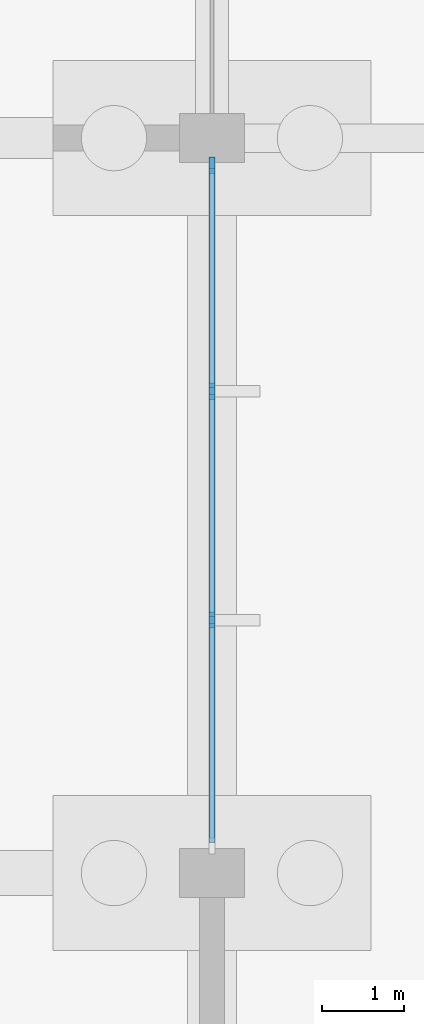
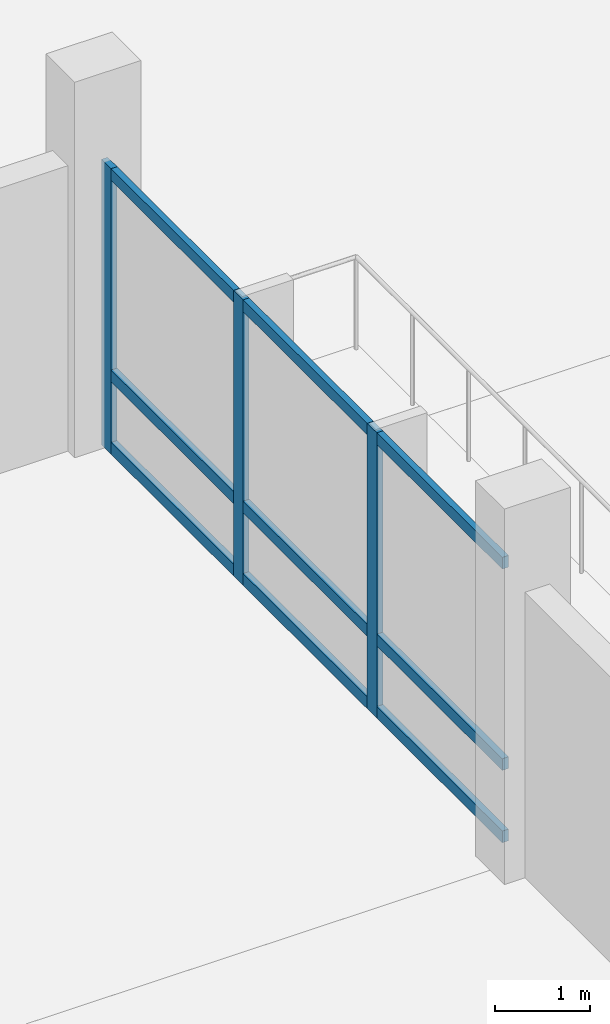
# One storey, part 34 of 72: 12 members, 1 element without a shape of its own.
"""IFC4 building model written with IfcOpenShell, lengths in metres."""

from ifc_helpers import new_model, si_unit, direction, frame, origin, origin_2d, place, context, subcontext, project, spatial, rectangle, extrude, material, material_profile, profile_set, type_object, element, aggregate, save


model = new_model("IFC4")

# Units and contexts
model_context = context("Model", 3, precision=1e-05, world=origin(), true_north=direction((0.0, 1.0)))
body_context = subcontext(model_context, "Body", "Model", "MODEL_VIEW")
ifc_project = project(units=[si_unit("LENGTHUNIT", "METRE"), si_unit("AREAUNIT", "SQUARE_METRE"), si_unit("VOLUMEUNIT", "CUBIC_METRE"), si_unit("PLANEANGLEUNIT", "RADIAN"), si_unit("MASSUNIT", "GRAM", prefix="KILO"), si_unit("THERMODYNAMICTEMPERATUREUNIT", "KELVIN"), si_unit("POWERUNIT", "WATT")], contexts=[model_context])

# Site, building, storey
site_placement = place(None, origin())
site = spatial("IfcSite", under=ifc_project, at=site_placement, CompositionType="ELEMENT")
building_placement = place(site_placement, origin())
building = spatial("IfcBuilding", under=site, at=building_placement, Name="Kronsvod Quay Wholesale Market", CompositionType="ELEMENT")
storey_placement = place(building_placement, origin())
storey = spatial("IfcBuildingStorey", under=building, at=storey_placement, Name="L00", CompositionType="ELEMENT", Elevation=0.0)

# Curtain wall, members
ifc_material_1 = material(Name="Thermally broken aluminium and triple low-E glazing", Category="aluminium")
curtain_wall_type = type_object("IfcCurtainWallType", Name="CW_Wing90x33", PredefinedType="NOTDEFINED", material=ifc_material_1)
curtain_wall_placement = place(storey_placement, origin())
curtain_wall = element("IfcCurtainWall", 1, at=curtain_wall_placement, inside=storey, type_object=curtain_wall_type, Name="CWGY-L00-1920-990", PredefinedType="NOTDEFINED")
ifc_material_2 = material(Name="Anodised aluminium", Category="aluminium")
ifc_material_profile_1 = material_profile(ifc_material_2, rectangle(XDim=0.074951171875, YDim=0.199951171875, at=origin_2d()), Name="ALUM75x200")
ifc_profile_set_1 = profile_set([ifc_material_profile_1], Name="Anodised aluminium")
member_type_1 = type_object("IfcMemberType", Name="Mullion_ALU75x200", PredefinedType="MULLION", material=ifc_profile_set_1)
member_1_placement = place(storey_placement, frame((192.0, 102.098388671875, 0.0), z_axis=(0.0, 0.0, 1.0), x_axis=(1.0, 0.0, 0.0)))
member_1 = element("IfcMember", 2, at=member_1_placement, type_object=member_type_1, Name="CWGY-L00-1920-990-M2", PredefinedType="MULLION", context=body_context, shape_type="SweptSolid", body=[
    extrude(rectangle(XDim=0.074951171875, YDim=0.199951171875, at=origin_2d()), origin(), (0.0, 0.0, 1.0), 3.64990234375),
])
member_2_placement = place(storey_placement, frame((192.0, 104.901611328125, 0.0), z_axis=(0.0, 0.0, 1.0), x_axis=(1.0, 0.0, 0.0)))
member_2 = element("IfcMember", 3, at=member_2_placement, type_object=member_type_1, Name="CWGY-L00-1920-990-M3", PredefinedType="MULLION", context=body_context, shape_type="SweptSolid", body=[
    extrude(rectangle(XDim=0.074951171875, YDim=0.199951171875, at=origin_2d()), origin(), (0.0, 0.0, 1.0), 3.64990234375),
])
member_3_placement = place(storey_placement, frame((192.0, 107.66748046875, 0.0), z_axis=(0.0, 0.0, 1.0), x_axis=(1.0, 0.0, 0.0)))
member_3 = element("IfcMember", 4, at=member_3_placement, type_object=member_type_1, Name="CWGY-L00-1920-990-M4", PredefinedType="MULLION", context=body_context, shape_type="SweptSolid", body=[
    extrude(rectangle(XDim=0.074951171875, YDim=0.199951171875, at=origin_2d()), origin(), (0.0, 0.0, 1.0), 3.64990234375),
])
ifc_material_3 = material(Name="Anodised aluminium", Category="aluminium")
ifc_material_profile_2 = material_profile(ifc_material_3, rectangle(XDim=0.074951171875, YDim=0.14990234375, at=origin_2d()), Name="ALUT75x150")
ifc_profile_set_2 = profile_set([ifc_material_profile_2], Name="Anodised aluminium")
member_type_2 = type_object("IfcMemberType", Name="Transom_ALU75x150", PredefinedType="USERDEFINED", material=ifc_profile_set_2)
member_4_placement = place(storey_placement, frame((192.0, 99.3701171875, 0.074951171875), z_axis=(0.0, 1.0, 0.0), x_axis=(-1.0, 0.0, 0.0)))
member_4 = element("IfcMember", 5, at=member_4_placement, type_object=member_type_2, Name="CWGY-L00-1920-990-T1B1", ObjectType="TRANSOM", PredefinedType="USERDEFINED", context=body_context, shape_type="SweptSolid", body=[
    extrude(rectangle(XDim=0.074951171875, YDim=0.14990234375, at=origin_2d()), origin(), (0.0, 0.0, 1.0), 2.690673828125),
])
member_5_placement = place(storey_placement, frame((192.0, 102.1357421875, 0.074951171875), z_axis=(0.0, 1.0, 0.0), x_axis=(-1.0, 0.0, 0.0)))
member_5 = element("IfcMember", 6, at=member_5_placement, type_object=member_type_2, Name="CWGY-L00-1920-990-T1B2", ObjectType="TRANSOM", PredefinedType="USERDEFINED", context=body_context, shape_type="SweptSolid", body=[
    extrude(rectangle(XDim=0.074951171875, YDim=0.14990234375, at=origin_2d()), origin(), (0.0, 0.0, 1.0), 2.728515625),
])
member_6_placement = place(storey_placement, frame((192.0, 104.939208984375, 0.074951171875), z_axis=(0.0, 1.0, 0.0), x_axis=(-1.0, 0.0, 0.0)))
member_6 = element("IfcMember", 7, at=member_6_placement, type_object=member_type_2, Name="CWGY-L00-1920-990-T1B3", ObjectType="TRANSOM", PredefinedType="USERDEFINED", context=body_context, shape_type="SweptSolid", body=[
    extrude(rectangle(XDim=0.074951171875, YDim=0.14990234375, at=origin_2d()), origin(), (0.0, 0.0, 1.0), 2.690673828125),
])
member_7_placement = place(storey_placement, frame((192.0, 99.3701171875, 1.0), z_axis=(0.0, 1.0, 0.0), x_axis=(-1.0, 0.0, 0.0)))
member_7 = element("IfcMember", 8, at=member_7_placement, type_object=member_type_2, Name="CWGY-L00-1920-990-T2B1", ObjectType="TRANSOM", PredefinedType="USERDEFINED", context=body_context, shape_type="SweptSolid", body=[
    extrude(rectangle(XDim=0.074951171875, YDim=0.14990234375, at=origin_2d()), origin(), (0.0, 0.0, 1.0), 2.690673828125),
])
member_8_placement = place(storey_placement, frame((192.0, 102.1357421875, 1.0), z_axis=(0.0, 1.0, 0.0), x_axis=(-1.0, 0.0, 0.0)))
member_8 = element("IfcMember", 9, at=member_8_placement, type_object=member_type_2, Name="CWGY-L00-1920-990-T2B2", ObjectType="TRANSOM", PredefinedType="USERDEFINED", context=body_context, shape_type="SweptSolid", body=[
    extrude(rectangle(XDim=0.074951171875, YDim=0.14990234375, at=origin_2d()), origin(), (0.0, 0.0, 1.0), 2.728515625),
])
member_9_placement = place(storey_placement, frame((192.0, 104.939208984375, 1.0), z_axis=(0.0, 1.0, 0.0), x_axis=(-1.0, 0.0, 0.0)))
member_9 = element("IfcMember", 10, at=member_9_placement, type_object=member_type_2, Name="CWGY-L00-1920-990-T2B3", ObjectType="TRANSOM", PredefinedType="USERDEFINED", context=body_context, shape_type="SweptSolid", body=[
    extrude(rectangle(XDim=0.074951171875, YDim=0.14990234375, at=origin_2d()), origin(), (0.0, 0.0, 1.0), 2.690673828125),
])
member_10_placement = place(storey_placement, frame((192.0, 99.3701171875, 3.574951171875), z_axis=(0.0, 1.0, 0.0), x_axis=(-1.0, 0.0, 0.0)))
member_10 = element("IfcMember", 11, at=member_10_placement, type_object=member_type_2, Name="CWGY-L00-1920-990-T3B1", ObjectType="TRANSOM", PredefinedType="USERDEFINED", context=body_context, shape_type="SweptSolid", body=[
    extrude(rectangle(XDim=0.074951171875, YDim=0.14990234375, at=origin_2d()), origin(), (0.0, 0.0, 1.0), 2.690673828125),
])
member_11_placement = place(storey_placement, frame((192.0, 102.1357421875, 3.574951171875), z_axis=(0.0, 1.0, 0.0), x_axis=(-1.0, 0.0, 0.0)))
member_11 = element("IfcMember", 12, at=member_11_placement, type_object=member_type_2, Name="CWGY-L00-1920-990-T3B2", ObjectType="TRANSOM", PredefinedType="USERDEFINED", context=body_context, shape_type="SweptSolid", body=[
    extrude(rectangle(XDim=0.074951171875, YDim=0.14990234375, at=origin_2d()), origin(), (0.0, 0.0, 1.0), 2.728515625),
])
member_12_placement = place(storey_placement, frame((192.0, 104.939208984375, 3.574951171875), z_axis=(0.0, 1.0, 0.0), x_axis=(-1.0, 0.0, 0.0)))
member_12 = element("IfcMember", 13, at=member_12_placement, type_object=member_type_2, Name="CWGY-L00-1920-990-T3B3", ObjectType="TRANSOM", PredefinedType="USERDEFINED", context=body_context, shape_type="SweptSolid", body=[
    extrude(rectangle(XDim=0.074951171875, YDim=0.14990234375, at=origin_2d()), origin(), (0.0, 0.0, 1.0), 2.690673828125),
])
aggregate(curtain_wall, [member_1, member_2, member_3, member_4, member_5, member_6, member_7, member_8, member_9, member_10, member_11, member_12])

save(model, "model.ifc")
